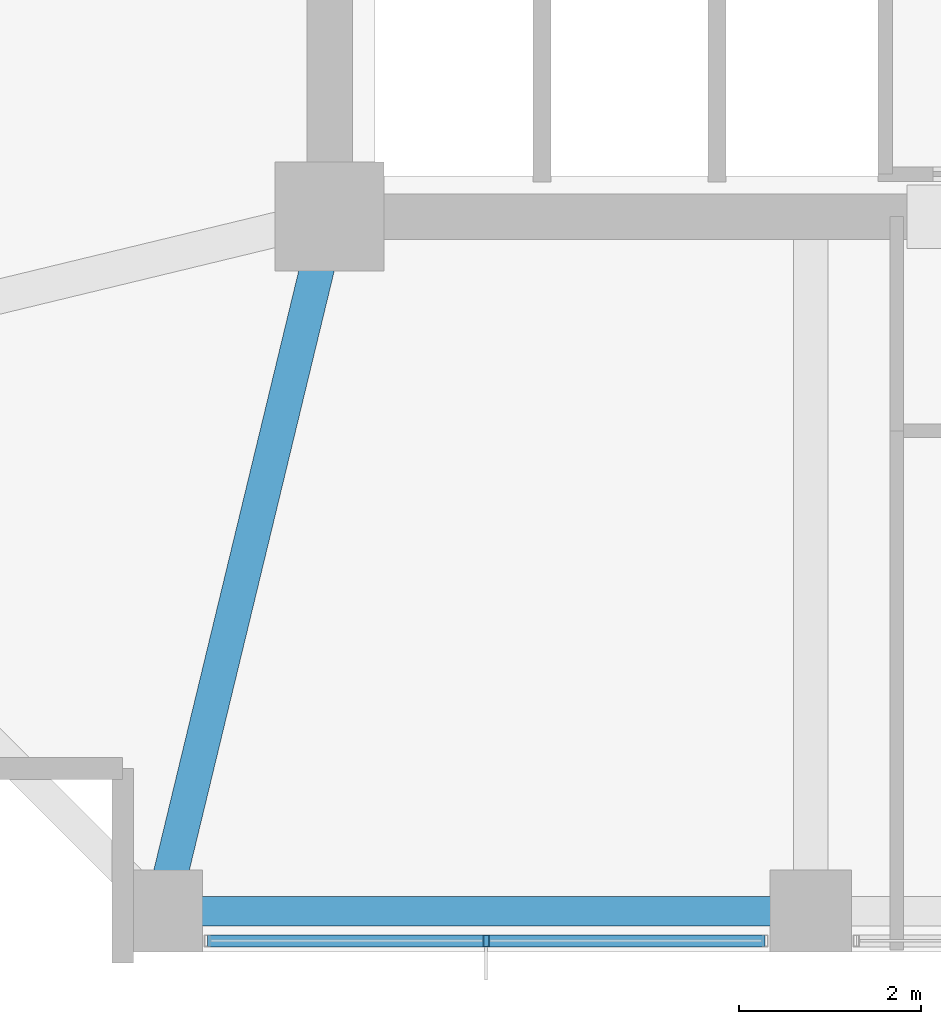
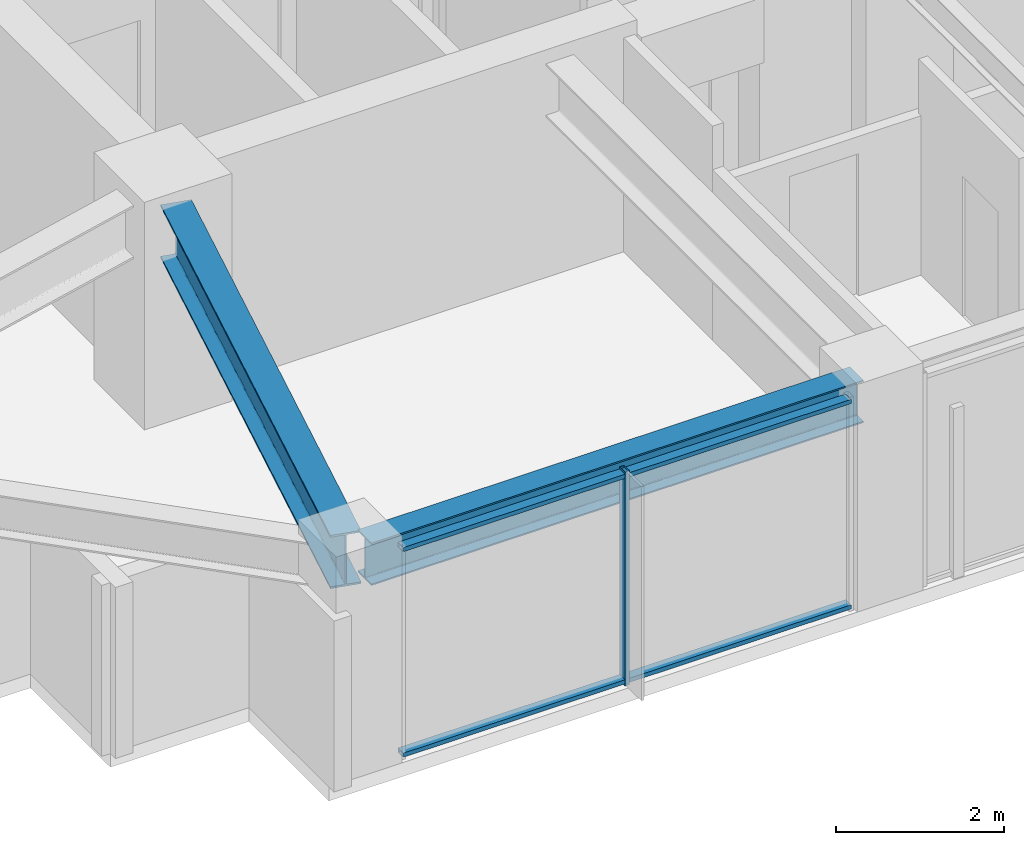
# One storey, part 3 of 33: 3 members, 2 beams, 1 element without a shape of its own.
"""IFC4 building model written with IfcOpenShell, lengths in metres."""

import ifcopenshell
import ifcopenshell.guid

model = None  # the IFC model being written
_history = None  # IfcOwnerHistory: only IFC2X3 demands one
_inside = {}  # id of a spatial element -> (the spatial element, [elements in it])
_under = {}  # id of a project, library or spatial element -> (it, [spatial elements below it])
_declared = {}  # id of a project -> (the project, [libraries it declares])
_typed = {}  # id of a type object -> (the type object, [elements of that type])
_made_of = {}  # id of a material, layer set ... -> (it, [elements and type objects made of it])


def new_model(schema):
    """Start an empty IFC model of exactly this schema.

    Asked for "IFC4X3", IfcOpenShell would pick the latest addendum, in which some entities
    have other attributes; the version numbers below select the first issue.
    IFC2X3 requires an IfcOwnerHistory on every rooted entity: one is made here for all.
    """
    global model, _history
    if schema == "IFC4X3":
        model = ifcopenshell.file(schema_version=(4, 3, 0, 0))
    else:
        model = ifcopenshell.file(schema=schema)
    _inside.clear()
    _under.clear()
    _declared.clear()
    _typed.clear()
    _made_of.clear()
    _history = None
    if model.schema == "IFC2X3":
        org = make("IfcOrganization", Name="unknown")
        user = make(
            "IfcPersonAndOrganization",
            ThePerson=make("IfcPerson", FamilyName="unknown"),
            TheOrganization=org,
        )
        app = make(
            "IfcApplication",
            ApplicationDeveloper=org,
            Version="unknown",
            ApplicationFullName="unknown",
            ApplicationIdentifier="unknown",
        )
        _history = make(
            "IfcOwnerHistory",
            OwningUser=user,
            OwningApplication=app,
            ChangeAction="ADDED",
            CreationDate=0,
        )
    return model


def make(cls, **values):
    """One entity of the class cls with the attributes given. An attribute that is None is left unset."""
    return model.create_entity(
        cls, **{name: value for name, value in values.items() if value is not None}
    )


def rooted(cls, **values):
    """An entity with a GlobalId (a new one), such as an element, a storey or a relation."""
    return make(cls, GlobalId=ifcopenshell.guid.new(), OwnerHistory=_history, **values)


def si_unit(unit_type, name, prefix=None):
    """IfcSIUnit, for example si_unit("LENGTHUNIT", "METRE", prefix="MILLI")."""
    return make("IfcSIUnit", UnitType=unit_type, Prefix=prefix, Name=name)


def assignment(units):
    """IfcUnitAssignment: the units of a project."""
    return None if units is None else make("IfcUnitAssignment", Units=units)


def point(xyz):
    """IfcCartesianPoint."""
    return None if xyz is None else make("IfcCartesianPoint", Coordinates=xyz)


def direction(xyz):
    """IfcDirection."""
    return None if xyz is None else make("IfcDirection", DirectionRatios=xyz)


def frame(location, z_axis=None, x_axis=None):
    """IfcAxis2Placement3D, a coordinate frame: its origin and axes. An axis left out is left unset."""
    return make(
        "IfcAxis2Placement3D",
        Location=point(location),
        Axis=direction(z_axis),
        RefDirection=direction(x_axis),
    )


def frame_2d(location, x_axis=None):
    """IfcAxis2Placement2D, a coordinate frame in the plane: its origin and x axis."""
    return make(
        "IfcAxis2Placement2D", Location=point(location), RefDirection=direction(x_axis)
    )


def origin():
    """The frame at (0, 0, 0) with its axes left unset."""
    return frame((0.0, 0.0, 0.0))


def origin_2d():
    """The frame at (0, 0) in the plane with its x axis left unset."""
    return frame_2d((0.0, 0.0))


def place(relative_to, where):
    """IfcLocalPlacement: puts the frame where relative to a parent placement (None: the world)."""
    return make(
        "IfcLocalPlacement", PlacementRelTo=relative_to, RelativePlacement=where
    )


def context(
    kind, dimensions, precision=None, world=None, true_north=None, identifier=None
):
    """IfcGeometricRepresentationContext, for example the 3D "Model" context."""
    return make(
        "IfcGeometricRepresentationContext",
        ContextIdentifier=identifier,
        ContextType=kind,
        CoordinateSpaceDimension=dimensions,
        Precision=precision,
        WorldCoordinateSystem=world,
        TrueNorth=true_north,
    )


def subcontext(parent, identifier, kind, view, scale=None):
    """IfcGeometricRepresentationSubContext, for example "Body" below "Model"."""
    return make(
        "IfcGeometricRepresentationSubContext",
        ContextIdentifier=identifier,
        ContextType=kind,
        ParentContext=parent,
        TargetScale=scale,
        TargetView=view,
    )


def project(units=None, contexts=None):
    """IfcProject with its units and contexts."""
    return rooted(
        "IfcProject",
        Name="project",
        RepresentationContexts=contexts,
        UnitsInContext=assignment(units),
    )


def spatial(cls, under=None, at=None, **own):
    """A site, building, storey or space (cls), placed at a placement, below another one or the project."""
    s = rooted(cls, ObjectPlacement=at, **own)
    if under is not None:
        _under.setdefault(under.id(), (under, []))[1].append(s)
    return s


def profile(cls, at=None, kind="AREA", **sizes):
    """A parametric profile (cls). Its sizes go by their IFC names, for example OverallWidth=200.0."""
    return make(cls, ProfileType=kind, Position=at, **sizes)


def hollow_rectangle(**sizes):
    """IfcRectangleHollowProfileDef."""
    return profile("IfcRectangleHollowProfileDef", **sizes)


def i_section(**sizes):
    """IfcIShapeProfileDef."""
    return profile("IfcIShapeProfileDef", **sizes)


def extrude(swept, where, along, depth):
    """IfcExtrudedAreaSolid: the profile swept, set in the frame where, extruded along a direction by depth."""
    return make(
        "IfcExtrudedAreaSolid",
        SweptArea=swept,
        Position=where,
        ExtrudedDirection=direction(along),
        Depth=depth,
    )


def shape(context_of_items, identifier, shape_type, items):
    """IfcShapeRepresentation: the items that make up one representation, for example the "Body"."""
    return make(
        "IfcShapeRepresentation",
        ContextOfItems=context_of_items,
        RepresentationIdentifier=identifier,
        RepresentationType=shape_type,
        Items=items,
    )


def material(Name=None, Category=None):
    """IfcMaterial."""
    return make("IfcMaterial", Name=Name, Category=Category)


def material_profile(
    of_material, cross_section, Name=None, Category=None, Priority=None
):
    """IfcMaterialProfile: a cross section and its material."""
    return make(
        "IfcMaterialProfile",
        Name=Name,
        Material=of_material,
        Profile=cross_section,
        Priority=Priority,
        Category=Category,
    )


def profile_set(profiles, Name=None, composite=None):
    """IfcMaterialProfileSet."""
    return make(
        "IfcMaterialProfileSet",
        Name=Name,
        MaterialProfiles=profiles,
        CompositeProfile=composite,
    )


def made_of(thing, what):
    """Note that an element or type object is made of a material, layer set ...; save() writes the relation."""
    if what is not None:
        _made_of.setdefault(what.id(), (what, []))[1].append(thing)
    return thing


def type_object(cls, material=None, **own):
    """A type object (cls), such as IfcWallType, which elements share."""
    return made_of(rooted(cls, **own), material)


def element(
    cls,
    number,
    at=None,
    inside=None,
    cuts=None,
    type_object=None,
    material=None,
    context=None,
    identifier="Body",
    shape_type=None,
    held_by="IfcProductDefinitionShape",
    body=None,
    shapes=None,
    **own,
):
    """One element of the class cls, such as IfcWall. Its Tag is "e" and its number.

    at: its placement. inside: the storey or other place that contains it. cuts: it is an
    opening in that element (IfcRelVoidsElement). A single representation is given by context,
    identifier, shape_type and body (its items); several are given by shapes. held_by: the class
    of the entity that holds the representations. save() writes the other relations.
    """
    e = rooted(cls, Tag="e%d" % number, ObjectPlacement=at, **own)
    if body is not None:
        shapes = [shape(context, identifier, shape_type, body)]
    if shapes is not None:
        e.Representation = make(held_by, Representations=shapes)
    if inside is not None:
        _inside.setdefault(inside.id(), (inside, []))[1].append(e)
    if cuts is not None:
        rooted(
            "IfcRelVoidsElement", RelatingBuildingElement=cuts, RelatedOpeningElement=e
        )
    if type_object is not None:
        _typed.setdefault(type_object.id(), (type_object, []))[1].append(e)
    return made_of(e, material)


def aggregate(whole, parts):
    """IfcRelAggregates: a whole, such as a stair, and the parts it consists of."""
    return rooted("IfcRelAggregates", RelatingObject=whole, RelatedObjects=parts)


def save(model, path):
    """Write the relations noted so far, then the file.

    IfcRelAggregates (storeys below a building ...), IfcRelContainedInSpatialStructure (elements
    in a storey), IfcRelDefinesByType, IfcRelAssociatesMaterial and IfcRelDeclares: one each for
    every whole, place, type object, material and project.
    """
    for whole, parts in _under.values():
        aggregate(whole, parts)
    for where, things in _inside.values():
        rooted(
            "IfcRelContainedInSpatialStructure",
            RelatedElements=things,
            RelatingStructure=where,
        )
    for kind, things in _typed.values():
        rooted("IfcRelDefinesByType", RelatedObjects=things, RelatingType=kind)
    for what, things in _made_of.values():
        rooted("IfcRelAssociatesMaterial", RelatedObjects=things, RelatingMaterial=what)
    for by, libraries in _declared.values():
        rooted("IfcRelDeclares", RelatingContext=by, RelatedDefinitions=libraries)
    model.write(path)


model = new_model("IFC4")

# Units and contexts
model_context = context("Model", 3, precision=1e-05, world=origin(), true_north=direction((0.0, 1.0)))
body_context = subcontext(model_context, "Body", "Model", "MODEL_VIEW")
ifc_project = project(units=[si_unit("LENGTHUNIT", "METRE"), si_unit("AREAUNIT", "SQUARE_METRE"), si_unit("VOLUMEUNIT", "CUBIC_METRE"), si_unit("PLANEANGLEUNIT", "RADIAN"), si_unit("MASSUNIT", "GRAM", prefix="KILO")], contexts=[model_context])

# Site, building, storey
site_placement = place(None, origin())
site = spatial("IfcSite", under=ifc_project, at=site_placement, CompositionType="ELEMENT")
building_placement = place(site_placement, origin())
building = spatial("IfcBuilding", under=site, at=building_placement, Name="Kolvaren Belvedere", CompositionType="ELEMENT")
storey_placement = place(building_placement, frame((0.0, 0.0, 128.300048828125)))
storey = spatial("IfcBuildingStorey", under=building, at=storey_placement, Name="L37", CompositionType="ELEMENT", Elevation=128.300048828125)

# Beams
ifc_material_1 = material(Name="Structural steel ASTM A992 Grade 50", Category="steel")
ifc_material_profile_1 = material_profile(ifc_material_1, i_section(OverallWidth=0.381103515625, OverallDepth=0.77294921875, WebThickness=0.0166015625, FlangeThickness=0.027099609375, FilletRadius=0.02392578125, at=origin_2d()), Name="W30X173")
ifc_profile_set_1 = profile_set([ifc_material_profile_1], Name="Structural steel ASTM A992 Grade 50")
beam_type_1 = type_object("IfcBeamType", Name="BM-GIRD-W30X173", PredefinedType="BEAM", material=ifc_profile_set_1)
beam_1_placement = place(storey_placement, frame((-10.029296875, -10.4345703125, 2.71337890625), z_axis=(-0.235062749937, -0.971980197119, 0.0), x_axis=(0.971980197119, -0.235062749937, 0.0)))
element("IfcBeam", 1, at=beam_1_placement, inside=storey, type_object=beam_type_1, Name="L37 Corner Core-to-Perimeter Girder CC1-S1", PredefinedType="BEAM", context=body_context, shape_type="SweptSolid", body=[
    extrude(i_section(OverallWidth=0.381103515625, OverallDepth=0.77294921875, WebThickness=0.0166015625, FlangeThickness=0.027099609375, FilletRadius=0.02392578125, at=origin_2d()), origin(), (0.0, 0.0, 1.0), 7.140625),
])
ifc_material_2 = material(Name="Structural steel ASTM A992 Grade 50", Category="steel")
ifc_material_profile_2 = material_profile(ifc_material_2, i_section(OverallWidth=0.324951171875, OverallDepth=0.615966796875, WebThickness=0.013916015625, FlangeThickness=0.021484375, FilletRadius=0.02001953125, at=origin_2d()), Name="W24X117")
ifc_profile_set_2 = profile_set([ifc_material_profile_2], Name="Structural steel ASTM A992 Grade 50")
beam_type_2 = type_object("IfcBeamType", Name="BM-SPAN-W24X117", PredefinedType="SPANDREL", material=ifc_profile_set_2)
beam_2_placement = place(storey_placement, frame((-11.547607421875, -17.550048828125, 2.7919921875), z_axis=(1.0, 0.0, 0.0), x_axis=(0.0, 1.0, 0.0)))
element("IfcBeam", 2, at=beam_2_placement, inside=storey, type_object=beam_type_2, Name="L37 Perimeter Spandrel S1-S2", PredefinedType="SPANDREL", context=body_context, shape_type="SweptSolid", body=[
    extrude(i_section(OverallWidth=0.324951171875, OverallDepth=0.615966796875, WebThickness=0.013916015625, FlangeThickness=0.021484375, FilletRadius=0.02001953125, at=origin_2d()), origin(), (0.0, 0.0, 1.0), 6.7451171875),
])

# Curtain wall, members
ifc_material_3 = material(Name="Anodised pale-metal aluminium AA 6063-T6", Category="aluminium")
curtain_wall_type = type_object("IfcCurtainWallType", Name="CW-Z3-WAIST", PredefinedType="NOTDEFINED", material=ifc_material_3)
curtain_wall_placement = place(storey_placement, origin())
curtain_wall = element("IfcCurtainWall", 3, at=curtain_wall_placement, inside=storey, type_object=curtain_wall_type, Name="L37 Unitised Curtain Wall FCW-L37-S-B3", PredefinedType="NOTDEFINED")
ifc_material_4 = material(Name="Anodised pale-metal aluminium AA 6063-T6", Category="aluminium")
ifc_material_profile_3 = material_profile(ifc_material_4, hollow_rectangle(XDim=0.06494140625, YDim=0.1298828125, WallThickness=0.00390625, at=origin_2d()), Name="ALU-MUL-130X65")
ifc_profile_set_3 = profile_set([ifc_material_profile_3], Name="Anodised pale-metal aluminium AA 6063-T6")
member_type_1 = type_object("IfcMemberType", Name="CW-MUL-130", PredefinedType="MULLION", material=ifc_profile_set_3)
member_1_placement = place(storey_placement, frame((-8.175048828125, -17.8798828125, 0.0), z_axis=(0.0, 0.0, 1.0), x_axis=(1.0, 0.0, 0.0)))
member_1 = element("IfcMember", 4, at=member_1_placement, type_object=member_type_1, Name="FCW-L37-S-B3 Unitised Mullion 2", PredefinedType="MULLION", context=body_context, shape_type="SweptSolid", body=[
    extrude(hollow_rectangle(XDim=0.06494140625, YDim=0.1298828125, WallThickness=0.00390625, at=origin_2d()), origin(), (0.0, 0.0, 1.0), 3.099853515625),
])
ifc_material_5 = material(Name="Anodised pale-metal aluminium AA 6063-T6", Category="aluminium")
ifc_material_profile_4 = material_profile(ifc_material_5, hollow_rectangle(XDim=0.06005859375, YDim=0.1298828125, WallThickness=0.00390625, at=origin_2d()), Name="ALU-TRN-130X60")
ifc_profile_set_4 = profile_set([ifc_material_profile_4], Name="Anodised pale-metal aluminium AA 6063-T6")
member_type_2 = type_object("IfcMemberType", Name="CW-TRN-130", PredefinedType="USERDEFINED", material=ifc_profile_set_4)
member_2_placement = place(storey_placement, frame((-5.1025390625, -17.8798828125, 0.06005859375), z_axis=(-1.0, 0.0, 0.0), x_axis=(0.0, 0.0, 1.0)))
member_2 = element("IfcMember", 5, at=member_2_placement, type_object=member_type_2, Name="FCW-L37-S-B3 Sill Transom", ObjectType="TRANSOM", PredefinedType="USERDEFINED", context=body_context, shape_type="SweptSolid", body=[
    extrude(hollow_rectangle(XDim=0.06005859375, YDim=0.1298828125, WallThickness=0.00390625, at=origin_2d()), origin(), (0.0, 0.0, 1.0), 6.14501953125),
])
member_3_placement = place(storey_placement, frame((-5.1025390625, -17.8798828125, 3.0400390625), z_axis=(-1.0, 0.0, 0.0), x_axis=(0.0, 0.0, 1.0)))
member_3 = element("IfcMember", 6, at=member_3_placement, type_object=member_type_2, Name="FCW-L37-S-B3 Head Transom", ObjectType="TRANSOM", PredefinedType="USERDEFINED", context=body_context, shape_type="SweptSolid", body=[
    extrude(hollow_rectangle(XDim=0.06005859375, YDim=0.1298828125, WallThickness=0.00390625, at=origin_2d()), origin(), (0.0, 0.0, 1.0), 6.14501953125),
])
aggregate(curtain_wall, [member_1, member_2, member_3])

save(model, "model.ifc")
